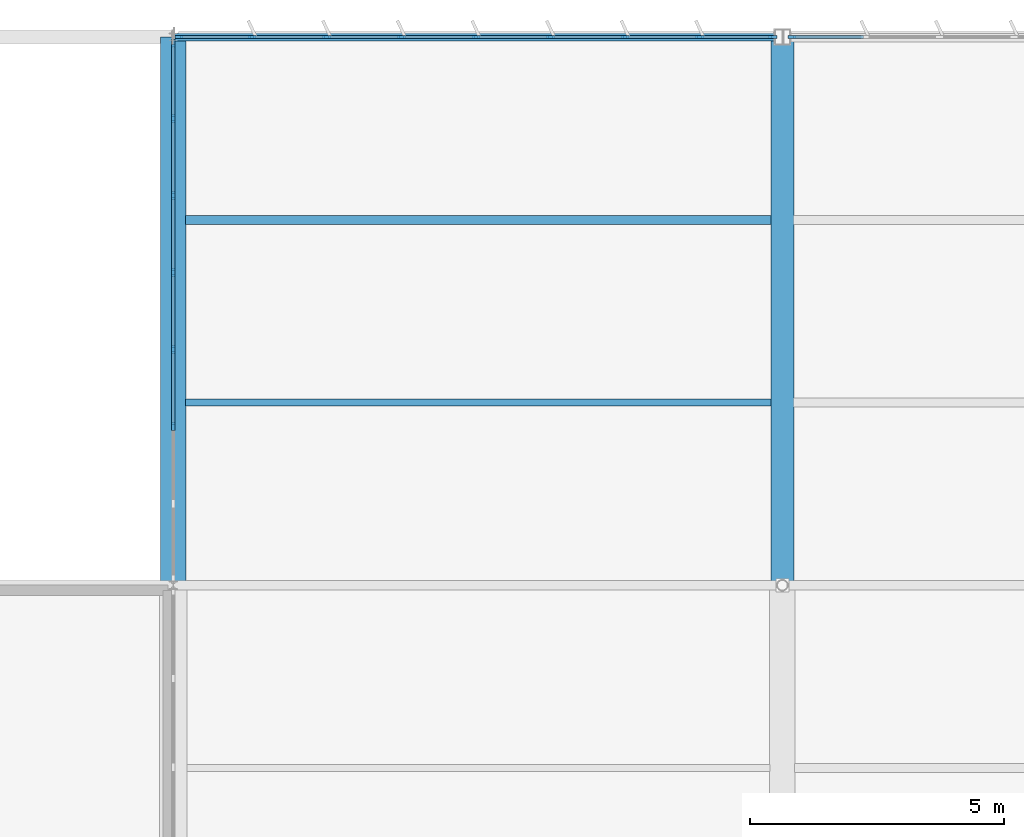
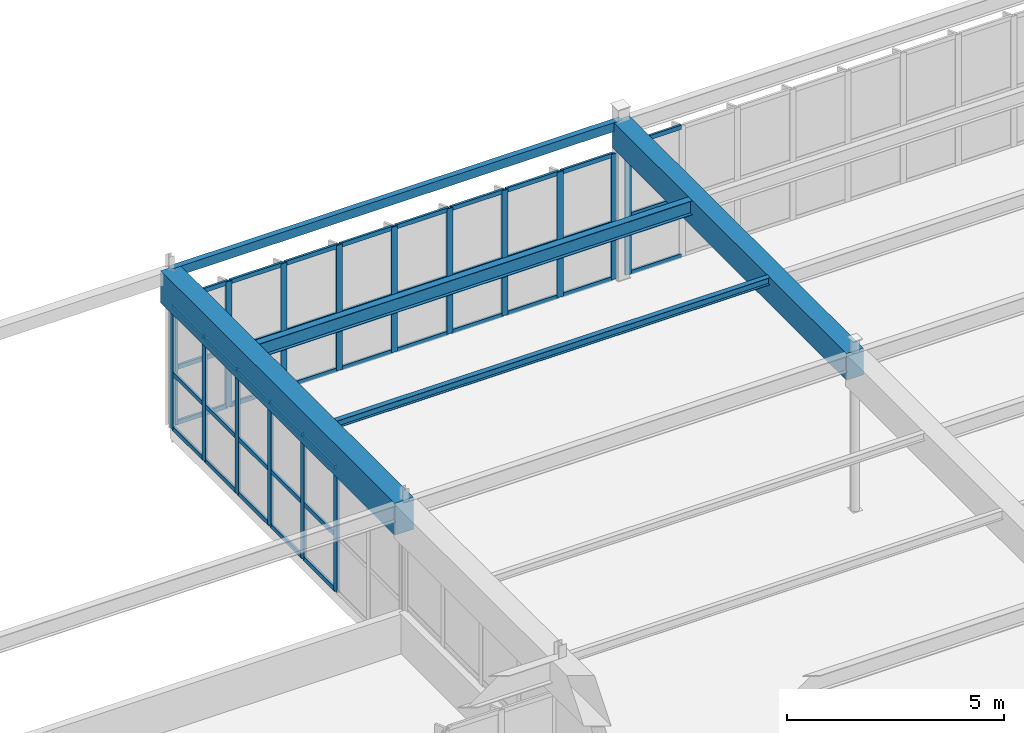
# One storey, part 128 of 226: 58 members, 5 beams, 3 elements without a shape of their own.
"""IFC4 building model written with IfcOpenShell, lengths in metres."""

from ifc_helpers import new_model, si_unit, direction, frame, origin, origin_2d, place, context, subcontext, project, spatial, rectangle, hollow_rectangle, i_section, extrude, material, layer, layer_set, material_profile, profile_set, type_object, element, aggregate, save


model = new_model("IFC4")

# Units and contexts
model_context = context("Model", 3, precision=1e-05, world=origin(), true_north=direction((0.0, 1.0)))
body_context = subcontext(model_context, "Body", "Model", "MODEL_VIEW")
ifc_project = project(units=[si_unit("LENGTHUNIT", "METRE"), si_unit("AREAUNIT", "SQUARE_METRE"), si_unit("VOLUMEUNIT", "CUBIC_METRE"), si_unit("PLANEANGLEUNIT", "RADIAN"), si_unit("MASSUNIT", "GRAM", prefix="KILO")], contexts=[model_context])

# Site, building, storey
site_placement = place(None, origin())
site = spatial("IfcSite", under=ifc_project, at=site_placement, CompositionType="ELEMENT")
building_placement = place(site_placement, origin())
building = spatial("IfcBuilding", under=site, at=building_placement, Name="Tarnwether General Hospital", CompositionType="ELEMENT")
storey_placement = place(building_placement, frame((0.0, 0.0, 4.800048828125)))
storey = spatial("IfcBuildingStorey", under=building, at=storey_placement, Name="L01", CompositionType="ELEMENT", Elevation=4.800048828125)

# Beams
ifc_material_1 = material(Name="Concrete 40 MPa", Category="concrete")
ifc_material_profile_1 = material_profile(ifc_material_1, rectangle(XDim=0.5, YDim=0.89990234375, at=origin_2d()), Name="RC-BM-500x900")
ifc_profile_set_1 = profile_set([ifc_material_profile_1], Name="Concrete 40 MPa")
beam_type_1 = type_object("IfcBeamType", Name="BM-G12", PredefinedType="BEAM", material=ifc_profile_set_1)
beam_1_placement = place(storey_placement, frame((144.0, 115.199951171875, 3.994873046875), z_axis=(0.0, 1.0, 0.0), x_axis=(-1.0, 0.0, 0.0)))
element("IfcBeam", 1, at=beam_1_placement, inside=storey, type_object=beam_type_1, Name="Primary Girder BMG-L01-14400_11520-14400_12600-1229", PredefinedType="BEAM", context=body_context, shape_type="SweptSolid", body=[
    extrude(rectangle(XDim=0.5, YDim=0.89990234375, at=origin_2d()), origin(), (0.0, 0.0, 1.0), 10.800048828125),
])
ifc_material_2 = material(Name="Concrete 40 MPa", Category="concrete")
ifc_material_profile_2 = material_profile(ifc_material_2, rectangle(XDim=0.449951171875, YDim=0.75, at=origin_2d()), Name="RC-BM-450x750")
ifc_profile_set_2 = profile_set([ifc_material_profile_2], Name="Concrete 40 MPa")
beam_type_2 = type_object("IfcBeamType", Name="BM-G13", PredefinedType="BEAM", material=ifc_profile_set_2)
beam_2_placement = place(storey_placement, frame((156.0, 115.199951171875, 4.070068359375), z_axis=(0.0, 1.0, 0.0), x_axis=(-1.0, 0.0, 0.0)))
element("IfcBeam", 2, at=beam_2_placement, inside=storey, type_object=beam_type_2, Name="Primary Girder BMG-L01-15600_11520-15600_12600-1247", PredefinedType="BEAM", context=body_context, shape_type="SweptSolid", body=[
    extrude(rectangle(XDim=0.449951171875, YDim=0.75, at=origin_2d()), origin(), (0.0, 0.0, 1.0), 10.800048828125),
])
ifc_material_3 = material(Name="Steel Grade 350 (350 MPa)", Category="steel")
ifc_material_profile_3 = material_profile(ifc_material_3, i_section(OverallWidth=0.177978515625, OverallDepth=0.406005859375, WebThickness=0.0078125, FlangeThickness=0.0126953125, at=origin_2d()), Name="410UB59.7")
ifc_profile_set_3 = profile_set([ifc_material_profile_3], Name="Steel Grade 350 (350 MPa)")
beam_type_3 = type_object("IfcBeamType", Name="BM-J01", PredefinedType="JOIST", material=ifc_profile_set_3)
beam_3_placement = place(storey_placement, frame((144.243896484375, 122.39990234375, 4.241943359375), z_axis=(1.0, 0.0, 0.0), x_axis=(0.0, 1.0, 0.0)))
element("IfcBeam", 3, at=beam_3_placement, inside=storey, type_object=beam_type_3, Name="Composite Floor Joist BMG-L01-14424_12240-15578_12240-1400", PredefinedType="JOIST", context=body_context, shape_type="SweptSolid", body=[
    extrude(i_section(OverallWidth=0.177978515625, OverallDepth=0.406005859375, WebThickness=0.0078125, FlangeThickness=0.0126953125, at=origin_2d()), origin(), (0.0, 0.0, 1.0), 11.537109375),
])
ifc_material_4 = material(Name="Steel Grade 350 (350 MPa)", Category="steel")
ifc_material_profile_4 = material_profile(ifc_material_4, i_section(OverallWidth=0.134033203125, OverallDepth=0.20703125, WebThickness=0.00634765625, FlangeThickness=0.009521484375, at=origin_2d()), Name="200UB29.8")
ifc_profile_set_4 = profile_set([ifc_material_profile_4], Name="Steel Grade 350 (350 MPa)")
beam_type_4 = type_object("IfcBeamType", Name="BM-J12", PredefinedType="JOIST", material=ifc_profile_set_4)
beam_4_placement = place(storey_placement, frame((144.243896484375, 118.800048828125, 4.341552734375), z_axis=(1.0, 0.0, 0.0), x_axis=(0.0, 1.0, 0.0)))
element("IfcBeam", 4, at=beam_4_placement, inside=storey, type_object=beam_type_4, Name="Composite Floor Joist BMG-L01-14424_11880-15578_11880-1399", PredefinedType="JOIST", context=body_context, shape_type="SweptSolid", body=[
    extrude(i_section(OverallWidth=0.134033203125, OverallDepth=0.20703125, WebThickness=0.00634765625, FlangeThickness=0.009521484375, at=origin_2d()), origin(), (0.0, 0.0, 1.0), 11.537109375),
])
ifc_material_5 = material(Name="Steel Grade C350L0 (350 MPa)", Category="steel")
ifc_material_profile_5 = material_profile(ifc_material_5, hollow_rectangle(XDim=0.14990234375, YDim=0.25, WallThickness=0.008056640625, at=origin_2d()), Name="RHS250x150x8")
ifc_profile_set_5 = profile_set([ifc_material_profile_5], Name="Steel Grade C350L0 (350 MPa)")
beam_type_5 = type_object("IfcBeamType", Name="BM-SP8", PredefinedType="SPANDREL", material=ifc_profile_set_5)
beam_5_placement = place(storey_placement, frame((144.0, 126.0, 4.320068359375), z_axis=(1.0, 0.0, 0.0), x_axis=(0.0, 1.0, 0.0)))
element("IfcBeam", 5, at=beam_5_placement, inside=storey, type_object=beam_type_5, Name="Primary Girder BMG-L01-14400_12600-15600_12600-1230", PredefinedType="SPANDREL", context=body_context, shape_type="SweptSolid", body=[
    extrude(hollow_rectangle(XDim=0.14990234375, YDim=0.25, WallThickness=0.008056640625, at=origin_2d()), origin(), (0.0, 0.0, 1.0), 12.0),
])

# Curtain wall, members
ifc_material_6 = material(Name="Anodised aluminium", Category="aluminium")
ifc_layer_1 = layer(ifc_material_6, 0.159912109375)
ifc_layer_set_1 = layer_set([ifc_layer_1], Name="Anodised aluminium")
curtain_wall_type_1 = type_object("IfcCurtainWallType", Name="CW-15", PredefinedType="NOTDEFINED", material=ifc_layer_set_1)
curtain_wall_1_placement = place(storey_placement, origin())
curtain_wall_1 = element("IfcCurtainWall", 6, at=curtain_wall_1_placement, inside=storey, type_object=curtain_wall_type_1, Name="Curtain Wall CWG-L01-1440_1153-0378", PredefinedType="NOTDEFINED")
ifc_material_7 = material(Name="Anodised aluminium", Category="aluminium")
ifc_material_profile_6 = material_profile(ifc_material_7, rectangle(XDim=0.06005859375, YDim=0.159912109375, at=origin_2d()), Name="ALU-MUL-60x160")
ifc_profile_set_6 = profile_set([ifc_material_profile_6], Name="Anodised aluminium")
member_type_1 = type_object("IfcMemberType", Name="CW-ML1", PredefinedType="MULLION", material=ifc_profile_set_6)
member_1_placement = place(storey_placement, frame((144.0, 118.323974609375, 0.0), z_axis=(0.0, 0.0, 1.0), x_axis=(-1.0, 0.0, 0.0)))
member_1 = element("IfcMember", 7, at=member_1_placement, type_object=member_type_1, Name="CW-15 mullion 3", PredefinedType="MULLION", context=body_context, shape_type="SweptSolid", body=[
    extrude(rectangle(XDim=0.06005859375, YDim=0.159912109375, at=origin_2d()), origin(), (0.0, 0.0, 1.0), 3.47998046875),
])
member_2_placement = place(storey_placement, frame((144.0, 119.84228515625, 0.0), z_axis=(0.0, 0.0, 1.0), x_axis=(-1.0, 0.0, 0.0)))
member_2 = element("IfcMember", 8, at=member_2_placement, type_object=member_type_1, Name="CW-15 mullion 4", PredefinedType="MULLION", context=body_context, shape_type="SweptSolid", body=[
    extrude(rectangle(XDim=0.06005859375, YDim=0.159912109375, at=origin_2d()), origin(), (0.0, 0.0, 1.0), 3.47998046875),
])
member_3_placement = place(storey_placement, frame((144.0, 121.360595703125, 0.0), z_axis=(0.0, 0.0, 1.0), x_axis=(-1.0, 0.0, 0.0)))
member_3 = element("IfcMember", 9, at=member_3_placement, type_object=member_type_1, Name="CW-15 mullion 5", PredefinedType="MULLION", context=body_context, shape_type="SweptSolid", body=[
    extrude(rectangle(XDim=0.06005859375, YDim=0.159912109375, at=origin_2d()), origin(), (0.0, 0.0, 1.0), 3.47998046875),
])
member_4_placement = place(storey_placement, frame((144.0, 122.879150390625, 0.0), z_axis=(0.0, 0.0, 1.0), x_axis=(-1.0, 0.0, 0.0)))
member_4 = element("IfcMember", 10, at=member_4_placement, type_object=member_type_1, Name="CW-15 mullion 6", PredefinedType="MULLION", context=body_context, shape_type="SweptSolid", body=[
    extrude(rectangle(XDim=0.06005859375, YDim=0.159912109375, at=origin_2d()), origin(), (0.0, 0.0, 1.0), 3.47998046875),
])
member_5_placement = place(storey_placement, frame((144.0, 124.3974609375, 0.0), z_axis=(0.0, 0.0, 1.0), x_axis=(-1.0, 0.0, 0.0)))
member_5 = element("IfcMember", 11, at=member_5_placement, type_object=member_type_1, Name="CW-15 mullion 7", PredefinedType="MULLION", context=body_context, shape_type="SweptSolid", body=[
    extrude(rectangle(XDim=0.06005859375, YDim=0.159912109375, at=origin_2d()), origin(), (0.0, 0.0, 1.0), 3.47998046875),
])
member_6_placement = place(storey_placement, frame((144.0, 125.885986328125, 0.0), z_axis=(0.0, 0.0, 1.0), x_axis=(-1.0, 0.0, 0.0)))
member_6 = element("IfcMember", 12, at=member_6_placement, type_object=member_type_1, Name="CW-15 mullion 8", PredefinedType="MULLION", context=body_context, shape_type="SweptSolid", body=[
    extrude(rectangle(XDim=0.06005859375, YDim=0.159912109375, at=origin_2d()), origin(), (0.0, 0.0, 1.0), 3.47998046875),
])

ifc_material_8 = material(Name="Anodised aluminium", Category="aluminium")
ifc_layer_2 = layer(ifc_material_8, 0.159912109375)
ifc_layer_set_2 = layer_set([ifc_layer_2], Name="Anodised aluminium")
curtain_wall_type_2 = type_object("IfcCurtainWallType", Name="CW-16", PredefinedType="NOTDEFINED", material=ifc_layer_set_2)
curtain_wall_2_placement = place(storey_placement, origin())
curtain_wall_2 = element("IfcCurtainWall", 13, at=curtain_wall_2_placement, inside=storey, type_object=curtain_wall_type_2, Name="Curtain Wall CWG-L01-1441_1260-0389", PredefinedType="NOTDEFINED")
member_7_placement = place(storey_placement, frame((144.114013671875, 126.0, 0.0), z_axis=(0.0, 0.0, 1.0), x_axis=(0.0, 1.0, 0.0)))
member_7 = element("IfcMember", 14, at=member_7_placement, type_object=member_type_1, Name="CW-16 mullion 1", PredefinedType="MULLION", context=body_context, shape_type="SweptSolid", body=[
    extrude(rectangle(XDim=0.06005859375, YDim=0.159912109375, at=origin_2d()), origin(), (0.0, 0.0, 1.0), 3.530029296875),
])
member_8_placement = place(storey_placement, frame((145.5537109375, 126.0, 0.0), z_axis=(0.0, 0.0, 1.0), x_axis=(0.0, 1.0, 0.0)))
member_8 = element("IfcMember", 15, at=member_8_placement, type_object=member_type_1, Name="CW-16 mullion 2", PredefinedType="MULLION", context=body_context, shape_type="SweptSolid", body=[
    extrude(rectangle(XDim=0.06005859375, YDim=0.159912109375, at=origin_2d()), origin(), (0.0, 0.0, 1.0), 3.530029296875),
])
member_9_placement = place(storey_placement, frame((147.0234375, 126.0, 0.0), z_axis=(0.0, 0.0, 1.0), x_axis=(0.0, 1.0, 0.0)))
member_9 = element("IfcMember", 16, at=member_9_placement, type_object=member_type_1, Name="CW-16 mullion 3", PredefinedType="MULLION", context=body_context, shape_type="SweptSolid", body=[
    extrude(rectangle(XDim=0.06005859375, YDim=0.159912109375, at=origin_2d()), origin(), (0.0, 0.0, 1.0), 3.530029296875),
])
member_10_placement = place(storey_placement, frame((148.4931640625, 126.0, 0.0), z_axis=(0.0, 0.0, 1.0), x_axis=(0.0, 1.0, 0.0)))
member_10 = element("IfcMember", 17, at=member_10_placement, type_object=member_type_1, Name="CW-16 mullion 4", PredefinedType="MULLION", context=body_context, shape_type="SweptSolid", body=[
    extrude(rectangle(XDim=0.06005859375, YDim=0.159912109375, at=origin_2d()), origin(), (0.0, 0.0, 1.0), 3.530029296875),
])
member_11_placement = place(storey_placement, frame((149.962890625, 126.0, 0.0), z_axis=(0.0, 0.0, 1.0), x_axis=(0.0, 1.0, 0.0)))
member_11 = element("IfcMember", 18, at=member_11_placement, type_object=member_type_1, Name="CW-16 mullion 5", PredefinedType="MULLION", context=body_context, shape_type="SweptSolid", body=[
    extrude(rectangle(XDim=0.06005859375, YDim=0.159912109375, at=origin_2d()), origin(), (0.0, 0.0, 1.0), 3.530029296875),
])
member_12_placement = place(storey_placement, frame((151.432861328125, 126.0, 0.0), z_axis=(0.0, 0.0, 1.0), x_axis=(0.0, 1.0, 0.0)))
member_12 = element("IfcMember", 19, at=member_12_placement, type_object=member_type_1, Name="CW-16 mullion 6", PredefinedType="MULLION", context=body_context, shape_type="SweptSolid", body=[
    extrude(rectangle(XDim=0.06005859375, YDim=0.159912109375, at=origin_2d()), origin(), (0.0, 0.0, 1.0), 3.530029296875),
])
member_13_placement = place(storey_placement, frame((152.902587890625, 126.0, 0.0), z_axis=(0.0, 0.0, 1.0), x_axis=(0.0, 1.0, 0.0)))
member_13 = element("IfcMember", 20, at=member_13_placement, type_object=member_type_1, Name="CW-16 mullion 7", PredefinedType="MULLION", context=body_context, shape_type="SweptSolid", body=[
    extrude(rectangle(XDim=0.06005859375, YDim=0.159912109375, at=origin_2d()), origin(), (0.0, 0.0, 1.0), 3.530029296875),
])
member_14_placement = place(storey_placement, frame((154.372314453125, 126.0, 0.0), z_axis=(0.0, 0.0, 1.0), x_axis=(0.0, 1.0, 0.0)))
member_14 = element("IfcMember", 21, at=member_14_placement, type_object=member_type_1, Name="CW-16 mullion 8", PredefinedType="MULLION", context=body_context, shape_type="SweptSolid", body=[
    extrude(rectangle(XDim=0.06005859375, YDim=0.159912109375, at=origin_2d()), origin(), (0.0, 0.0, 1.0), 3.530029296875),
])
member_15_placement = place(storey_placement, frame((155.81201171875, 126.0, 0.0), z_axis=(0.0, 0.0, 1.0), x_axis=(0.0, 1.0, 0.0)))
member_15 = element("IfcMember", 22, at=member_15_placement, type_object=member_type_1, Name="CW-16 mullion 9", PredefinedType="MULLION", context=body_context, shape_type="SweptSolid", body=[
    extrude(rectangle(XDim=0.06005859375, YDim=0.159912109375, at=origin_2d()), origin(), (0.0, 0.0, 1.0), 3.530029296875),
])

# Curtain wall, member
curtain_wall_3_placement = place(storey_placement, origin())
curtain_wall_3 = element("IfcCurtainWall", 23, at=curtain_wall_3_placement, inside=storey, type_object=curtain_wall_type_2, Name="Curtain Wall CWG-L01-1562_1260-0390", PredefinedType="NOTDEFINED")
member_16_placement = place(storey_placement, frame((156.18798828125, 126.0, 0.0), z_axis=(0.0, 0.0, 1.0), x_axis=(0.0, 1.0, 0.0)))
member_16 = element("IfcMember", 24, at=member_16_placement, type_object=member_type_1, Name="CW-16 mullion 1", PredefinedType="MULLION", context=body_context, shape_type="SweptSolid", body=[
    extrude(rectangle(XDim=0.06005859375, YDim=0.159912109375, at=origin_2d()), origin(), (0.0, 0.0, 1.0), 3.679931640625),
])

# Member
ifc_material_9 = material(Name="Anodised aluminium", Category="aluminium")
ifc_material_profile_7 = material_profile(ifc_material_9, rectangle(XDim=0.06005859375, YDim=0.1201171875, at=origin_2d()), Name="ALU-TRN-60x120")
ifc_profile_set_7 = profile_set([ifc_material_profile_7], Name="Anodised aluminium")
member_type_2 = type_object("IfcMemberType", Name="CW-TR1", PredefinedType="USERDEFINED", material=ifc_profile_set_7)
member_17_placement = place(storey_placement, frame((144.0, 118.353759765625, 0.030029296875), z_axis=(0.0, 1.0, 0.0), x_axis=(-1.0, 0.0, 0.0)))
member_17 = element("IfcMember", 25, at=member_17_placement, type_object=member_type_2, Name="CW-15 transom 3.1", ObjectType="TRANSOM", PredefinedType="USERDEFINED", context=body_context, shape_type="SweptSolid", body=[
    extrude(rectangle(XDim=0.06005859375, YDim=0.1201171875, at=origin_2d()), origin(), (0.0, 0.0, 1.0), 1.45849609375),
])

member_18_placement = place(storey_placement, frame((144.0, 118.353759765625, 1.56591796875), z_axis=(0.0, 1.0, 0.0), x_axis=(-1.0, 0.0, 0.0)))
member_18 = element("IfcMember", 26, at=member_18_placement, type_object=member_type_2, Name="CW-15 transom 3.2", ObjectType="TRANSOM", PredefinedType="USERDEFINED", context=body_context, shape_type="SweptSolid", body=[
    extrude(rectangle(XDim=0.06005859375, YDim=0.1201171875, at=origin_2d()), origin(), (0.0, 0.0, 1.0), 1.45849609375),
])

member_19_placement = place(storey_placement, frame((144.0, 118.353759765625, 3.449951171875), z_axis=(0.0, 1.0, 0.0), x_axis=(-1.0, 0.0, 0.0)))
member_19 = element("IfcMember", 27, at=member_19_placement, type_object=member_type_2, Name="CW-15 transom 3.3", ObjectType="TRANSOM", PredefinedType="USERDEFINED", context=body_context, shape_type="SweptSolid", body=[
    extrude(rectangle(XDim=0.06005859375, YDim=0.1201171875, at=origin_2d()), origin(), (0.0, 0.0, 1.0), 1.45849609375),
])

member_20_placement = place(storey_placement, frame((144.0, 119.872314453125, 0.030029296875), z_axis=(0.0, 1.0, 0.0), x_axis=(-1.0, 0.0, 0.0)))
member_20 = element("IfcMember", 28, at=member_20_placement, type_object=member_type_2, Name="CW-15 transom 4.1", ObjectType="TRANSOM", PredefinedType="USERDEFINED", context=body_context, shape_type="SweptSolid", body=[
    extrude(rectangle(XDim=0.06005859375, YDim=0.1201171875, at=origin_2d()), origin(), (0.0, 0.0, 1.0), 1.45849609375),
])

member_21_placement = place(storey_placement, frame((144.0, 119.872314453125, 1.56591796875), z_axis=(0.0, 1.0, 0.0), x_axis=(-1.0, 0.0, 0.0)))
member_21 = element("IfcMember", 29, at=member_21_placement, type_object=member_type_2, Name="CW-15 transom 4.2", ObjectType="TRANSOM", PredefinedType="USERDEFINED", context=body_context, shape_type="SweptSolid", body=[
    extrude(rectangle(XDim=0.06005859375, YDim=0.1201171875, at=origin_2d()), origin(), (0.0, 0.0, 1.0), 1.45849609375),
])

member_22_placement = place(storey_placement, frame((144.0, 119.872314453125, 3.449951171875), z_axis=(0.0, 1.0, 0.0), x_axis=(-1.0, 0.0, 0.0)))
member_22 = element("IfcMember", 30, at=member_22_placement, type_object=member_type_2, Name="CW-15 transom 4.3", ObjectType="TRANSOM", PredefinedType="USERDEFINED", context=body_context, shape_type="SweptSolid", body=[
    extrude(rectangle(XDim=0.06005859375, YDim=0.1201171875, at=origin_2d()), origin(), (0.0, 0.0, 1.0), 1.45849609375),
])

member_23_placement = place(storey_placement, frame((144.0, 121.390625, 0.030029296875), z_axis=(0.0, 1.0, 0.0), x_axis=(-1.0, 0.0, 0.0)))
member_23 = element("IfcMember", 31, at=member_23_placement, type_object=member_type_2, Name="CW-15 transom 5.1", ObjectType="TRANSOM", PredefinedType="USERDEFINED", context=body_context, shape_type="SweptSolid", body=[
    extrude(rectangle(XDim=0.06005859375, YDim=0.1201171875, at=origin_2d()), origin(), (0.0, 0.0, 1.0), 1.45849609375),
])

member_24_placement = place(storey_placement, frame((144.0, 121.390625, 1.56591796875), z_axis=(0.0, 1.0, 0.0), x_axis=(-1.0, 0.0, 0.0)))
member_24 = element("IfcMember", 32, at=member_24_placement, type_object=member_type_2, Name="CW-15 transom 5.2", ObjectType="TRANSOM", PredefinedType="USERDEFINED", context=body_context, shape_type="SweptSolid", body=[
    extrude(rectangle(XDim=0.06005859375, YDim=0.1201171875, at=origin_2d()), origin(), (0.0, 0.0, 1.0), 1.45849609375),
])

member_25_placement = place(storey_placement, frame((144.0, 121.390625, 3.449951171875), z_axis=(0.0, 1.0, 0.0), x_axis=(-1.0, 0.0, 0.0)))
member_25 = element("IfcMember", 33, at=member_25_placement, type_object=member_type_2, Name="CW-15 transom 5.3", ObjectType="TRANSOM", PredefinedType="USERDEFINED", context=body_context, shape_type="SweptSolid", body=[
    extrude(rectangle(XDim=0.06005859375, YDim=0.1201171875, at=origin_2d()), origin(), (0.0, 0.0, 1.0), 1.45849609375),
])

member_26_placement = place(storey_placement, frame((144.0, 122.9091796875, 0.030029296875), z_axis=(0.0, 1.0, 0.0), x_axis=(-1.0, 0.0, 0.0)))
member_26 = element("IfcMember", 34, at=member_26_placement, type_object=member_type_2, Name="CW-15 transom 6.1", ObjectType="TRANSOM", PredefinedType="USERDEFINED", context=body_context, shape_type="SweptSolid", body=[
    extrude(rectangle(XDim=0.06005859375, YDim=0.1201171875, at=origin_2d()), origin(), (0.0, 0.0, 1.0), 1.45849609375),
])

member_27_placement = place(storey_placement, frame((144.0, 122.9091796875, 1.56591796875), z_axis=(0.0, 1.0, 0.0), x_axis=(-1.0, 0.0, 0.0)))
member_27 = element("IfcMember", 35, at=member_27_placement, type_object=member_type_2, Name="CW-15 transom 6.2", ObjectType="TRANSOM", PredefinedType="USERDEFINED", context=body_context, shape_type="SweptSolid", body=[
    extrude(rectangle(XDim=0.06005859375, YDim=0.1201171875, at=origin_2d()), origin(), (0.0, 0.0, 1.0), 1.45849609375),
])

member_28_placement = place(storey_placement, frame((144.0, 122.9091796875, 3.449951171875), z_axis=(0.0, 1.0, 0.0), x_axis=(-1.0, 0.0, 0.0)))
member_28 = element("IfcMember", 36, at=member_28_placement, type_object=member_type_2, Name="CW-15 transom 6.3", ObjectType="TRANSOM", PredefinedType="USERDEFINED", context=body_context, shape_type="SweptSolid", body=[
    extrude(rectangle(XDim=0.06005859375, YDim=0.1201171875, at=origin_2d()), origin(), (0.0, 0.0, 1.0), 1.45849609375),
])

member_29_placement = place(storey_placement, frame((144.0, 124.427490234375, 0.030029296875), z_axis=(0.0, 1.0, 0.0), x_axis=(-1.0, 0.0, 0.0)))
member_29 = element("IfcMember", 37, at=member_29_placement, type_object=member_type_2, Name="CW-15 transom 7.1", ObjectType="TRANSOM", PredefinedType="USERDEFINED", context=body_context, shape_type="SweptSolid", body=[
    extrude(rectangle(XDim=0.06005859375, YDim=0.1201171875, at=origin_2d()), origin(), (0.0, 0.0, 1.0), 1.428466796875),
])

member_30_placement = place(storey_placement, frame((144.0, 124.427490234375, 1.56591796875), z_axis=(0.0, 1.0, 0.0), x_axis=(-1.0, 0.0, 0.0)))
member_30 = element("IfcMember", 38, at=member_30_placement, type_object=member_type_2, Name="CW-15 transom 7.2", ObjectType="TRANSOM", PredefinedType="USERDEFINED", context=body_context, shape_type="SweptSolid", body=[
    extrude(rectangle(XDim=0.06005859375, YDim=0.1201171875, at=origin_2d()), origin(), (0.0, 0.0, 1.0), 1.428466796875),
])

member_31_placement = place(storey_placement, frame((144.0, 124.427490234375, 3.449951171875), z_axis=(0.0, 1.0, 0.0), x_axis=(-1.0, 0.0, 0.0)))
member_31 = element("IfcMember", 39, at=member_31_placement, type_object=member_type_2, Name="CW-15 transom 7.3", ObjectType="TRANSOM", PredefinedType="USERDEFINED", context=body_context, shape_type="SweptSolid", body=[
    extrude(rectangle(XDim=0.06005859375, YDim=0.1201171875, at=origin_2d()), origin(), (0.0, 0.0, 1.0), 1.428466796875),
])

aggregate(curtain_wall_1, [member_1, member_2, member_3, member_4, member_5, member_6, member_17, member_18, member_19, member_20, member_21, member_22, member_23, member_24, member_25, member_26, member_27, member_28, member_29, member_30, member_31])

member_32_placement = place(storey_placement, frame((144.14404296875, 126.0, 0.030029296875), z_axis=(1.0, 0.0, 0.0), x_axis=(0.0, 1.0, 0.0)))
member_32 = element("IfcMember", 40, at=member_32_placement, type_object=member_type_2, Name="CW-16 transom 1.1", ObjectType="TRANSOM", PredefinedType="USERDEFINED", context=body_context, shape_type="SweptSolid", body=[
    extrude(rectangle(XDim=0.06005859375, YDim=0.1201171875, at=origin_2d()), origin(), (0.0, 0.0, 1.0), 1.379638671875),
])

member_33_placement = place(storey_placement, frame((144.14404296875, 126.0, 1.58837890625), z_axis=(1.0, 0.0, 0.0), x_axis=(0.0, 1.0, 0.0)))
member_33 = element("IfcMember", 41, at=member_33_placement, type_object=member_type_2, Name="CW-16 transom 1.2", ObjectType="TRANSOM", PredefinedType="USERDEFINED", context=body_context, shape_type="SweptSolid", body=[
    extrude(rectangle(XDim=0.06005859375, YDim=0.1201171875, at=origin_2d()), origin(), (0.0, 0.0, 1.0), 1.379638671875),
])

member_34_placement = place(storey_placement, frame((144.14404296875, 126.0, 3.5), z_axis=(1.0, 0.0, 0.0), x_axis=(0.0, 1.0, 0.0)))
member_34 = element("IfcMember", 42, at=member_34_placement, type_object=member_type_2, Name="CW-16 transom 1.3", ObjectType="TRANSOM", PredefinedType="USERDEFINED", context=body_context, shape_type="SweptSolid", body=[
    extrude(rectangle(XDim=0.06005859375, YDim=0.1201171875, at=origin_2d()), origin(), (0.0, 0.0, 1.0), 1.379638671875),
])

member_35_placement = place(storey_placement, frame((145.583740234375, 126.0, 0.030029296875), z_axis=(1.0, 0.0, 0.0), x_axis=(0.0, 1.0, 0.0)))
member_35 = element("IfcMember", 43, at=member_35_placement, type_object=member_type_2, Name="CW-16 transom 2.1", ObjectType="TRANSOM", PredefinedType="USERDEFINED", context=body_context, shape_type="SweptSolid", body=[
    extrude(rectangle(XDim=0.06005859375, YDim=0.1201171875, at=origin_2d()), origin(), (0.0, 0.0, 1.0), 1.40966796875),
])

member_36_placement = place(storey_placement, frame((145.583740234375, 126.0, 1.58837890625), z_axis=(1.0, 0.0, 0.0), x_axis=(0.0, 1.0, 0.0)))
member_36 = element("IfcMember", 44, at=member_36_placement, type_object=member_type_2, Name="CW-16 transom 2.2", ObjectType="TRANSOM", PredefinedType="USERDEFINED", context=body_context, shape_type="SweptSolid", body=[
    extrude(rectangle(XDim=0.06005859375, YDim=0.1201171875, at=origin_2d()), origin(), (0.0, 0.0, 1.0), 1.40966796875),
])

member_37_placement = place(storey_placement, frame((145.583740234375, 126.0, 3.5), z_axis=(1.0, 0.0, 0.0), x_axis=(0.0, 1.0, 0.0)))
member_37 = element("IfcMember", 45, at=member_37_placement, type_object=member_type_2, Name="CW-16 transom 2.3", ObjectType="TRANSOM", PredefinedType="USERDEFINED", context=body_context, shape_type="SweptSolid", body=[
    extrude(rectangle(XDim=0.06005859375, YDim=0.1201171875, at=origin_2d()), origin(), (0.0, 0.0, 1.0), 1.40966796875),
])

member_38_placement = place(storey_placement, frame((147.053466796875, 126.0, 0.030029296875), z_axis=(1.0, 0.0, 0.0), x_axis=(0.0, 1.0, 0.0)))
member_38 = element("IfcMember", 46, at=member_38_placement, type_object=member_type_2, Name="CW-16 transom 3.1", ObjectType="TRANSOM", PredefinedType="USERDEFINED", context=body_context, shape_type="SweptSolid", body=[
    extrude(rectangle(XDim=0.06005859375, YDim=0.1201171875, at=origin_2d()), origin(), (0.0, 0.0, 1.0), 1.40966796875),
])

member_39_placement = place(storey_placement, frame((147.053466796875, 126.0, 1.58837890625), z_axis=(1.0, 0.0, 0.0), x_axis=(0.0, 1.0, 0.0)))
member_39 = element("IfcMember", 47, at=member_39_placement, type_object=member_type_2, Name="CW-16 transom 3.2", ObjectType="TRANSOM", PredefinedType="USERDEFINED", context=body_context, shape_type="SweptSolid", body=[
    extrude(rectangle(XDim=0.06005859375, YDim=0.1201171875, at=origin_2d()), origin(), (0.0, 0.0, 1.0), 1.40966796875),
])

member_40_placement = place(storey_placement, frame((147.053466796875, 126.0, 3.5), z_axis=(1.0, 0.0, 0.0), x_axis=(0.0, 1.0, 0.0)))
member_40 = element("IfcMember", 48, at=member_40_placement, type_object=member_type_2, Name="CW-16 transom 3.3", ObjectType="TRANSOM", PredefinedType="USERDEFINED", context=body_context, shape_type="SweptSolid", body=[
    extrude(rectangle(XDim=0.06005859375, YDim=0.1201171875, at=origin_2d()), origin(), (0.0, 0.0, 1.0), 1.40966796875),
])

member_41_placement = place(storey_placement, frame((148.523193359375, 126.0, 0.030029296875), z_axis=(1.0, 0.0, 0.0), x_axis=(0.0, 1.0, 0.0)))
member_41 = element("IfcMember", 49, at=member_41_placement, type_object=member_type_2, Name="CW-16 transom 4.1", ObjectType="TRANSOM", PredefinedType="USERDEFINED", context=body_context, shape_type="SweptSolid", body=[
    extrude(rectangle(XDim=0.06005859375, YDim=0.1201171875, at=origin_2d()), origin(), (0.0, 0.0, 1.0), 1.409912109375),
])

member_42_placement = place(storey_placement, frame((148.523193359375, 126.0, 1.58837890625), z_axis=(1.0, 0.0, 0.0), x_axis=(0.0, 1.0, 0.0)))
member_42 = element("IfcMember", 50, at=member_42_placement, type_object=member_type_2, Name="CW-16 transom 4.2", ObjectType="TRANSOM", PredefinedType="USERDEFINED", context=body_context, shape_type="SweptSolid", body=[
    extrude(rectangle(XDim=0.06005859375, YDim=0.1201171875, at=origin_2d()), origin(), (0.0, 0.0, 1.0), 1.409912109375),
])

member_43_placement = place(storey_placement, frame((148.523193359375, 126.0, 3.5), z_axis=(1.0, 0.0, 0.0), x_axis=(0.0, 1.0, 0.0)))
member_43 = element("IfcMember", 51, at=member_43_placement, type_object=member_type_2, Name="CW-16 transom 4.3", ObjectType="TRANSOM", PredefinedType="USERDEFINED", context=body_context, shape_type="SweptSolid", body=[
    extrude(rectangle(XDim=0.06005859375, YDim=0.1201171875, at=origin_2d()), origin(), (0.0, 0.0, 1.0), 1.409912109375),
])

member_44_placement = place(storey_placement, frame((149.992919921875, 126.0, 0.030029296875), z_axis=(1.0, 0.0, 0.0), x_axis=(0.0, 1.0, 0.0)))
member_44 = element("IfcMember", 52, at=member_44_placement, type_object=member_type_2, Name="CW-16 transom 5.1", ObjectType="TRANSOM", PredefinedType="USERDEFINED", context=body_context, shape_type="SweptSolid", body=[
    extrude(rectangle(XDim=0.06005859375, YDim=0.1201171875, at=origin_2d()), origin(), (0.0, 0.0, 1.0), 1.409912109375),
])

member_45_placement = place(storey_placement, frame((149.992919921875, 126.0, 1.58837890625), z_axis=(1.0, 0.0, 0.0), x_axis=(0.0, 1.0, 0.0)))
member_45 = element("IfcMember", 53, at=member_45_placement, type_object=member_type_2, Name="CW-16 transom 5.2", ObjectType="TRANSOM", PredefinedType="USERDEFINED", context=body_context, shape_type="SweptSolid", body=[
    extrude(rectangle(XDim=0.06005859375, YDim=0.1201171875, at=origin_2d()), origin(), (0.0, 0.0, 1.0), 1.409912109375),
])

member_46_placement = place(storey_placement, frame((149.992919921875, 126.0, 3.5), z_axis=(1.0, 0.0, 0.0), x_axis=(0.0, 1.0, 0.0)))
member_46 = element("IfcMember", 54, at=member_46_placement, type_object=member_type_2, Name="CW-16 transom 5.3", ObjectType="TRANSOM", PredefinedType="USERDEFINED", context=body_context, shape_type="SweptSolid", body=[
    extrude(rectangle(XDim=0.06005859375, YDim=0.1201171875, at=origin_2d()), origin(), (0.0, 0.0, 1.0), 1.409912109375),
])

member_47_placement = place(storey_placement, frame((151.462646484375, 126.0, 0.030029296875), z_axis=(1.0, 0.0, 0.0), x_axis=(0.0, 1.0, 0.0)))
member_47 = element("IfcMember", 55, at=member_47_placement, type_object=member_type_2, Name="CW-16 transom 6.1", ObjectType="TRANSOM", PredefinedType="USERDEFINED", context=body_context, shape_type="SweptSolid", body=[
    extrude(rectangle(XDim=0.06005859375, YDim=0.1201171875, at=origin_2d()), origin(), (0.0, 0.0, 1.0), 1.409912109375),
])

member_48_placement = place(storey_placement, frame((151.462646484375, 126.0, 1.58837890625), z_axis=(1.0, 0.0, 0.0), x_axis=(0.0, 1.0, 0.0)))
member_48 = element("IfcMember", 56, at=member_48_placement, type_object=member_type_2, Name="CW-16 transom 6.2", ObjectType="TRANSOM", PredefinedType="USERDEFINED", context=body_context, shape_type="SweptSolid", body=[
    extrude(rectangle(XDim=0.06005859375, YDim=0.1201171875, at=origin_2d()), origin(), (0.0, 0.0, 1.0), 1.409912109375),
])

member_49_placement = place(storey_placement, frame((151.462646484375, 126.0, 3.5), z_axis=(1.0, 0.0, 0.0), x_axis=(0.0, 1.0, 0.0)))
member_49 = element("IfcMember", 57, at=member_49_placement, type_object=member_type_2, Name="CW-16 transom 6.3", ObjectType="TRANSOM", PredefinedType="USERDEFINED", context=body_context, shape_type="SweptSolid", body=[
    extrude(rectangle(XDim=0.06005859375, YDim=0.1201171875, at=origin_2d()), origin(), (0.0, 0.0, 1.0), 1.409912109375),
])

member_50_placement = place(storey_placement, frame((152.9326171875, 126.0, 0.030029296875), z_axis=(1.0, 0.0, 0.0), x_axis=(0.0, 1.0, 0.0)))
member_50 = element("IfcMember", 58, at=member_50_placement, type_object=member_type_2, Name="CW-16 transom 7.1", ObjectType="TRANSOM", PredefinedType="USERDEFINED", context=body_context, shape_type="SweptSolid", body=[
    extrude(rectangle(XDim=0.06005859375, YDim=0.1201171875, at=origin_2d()), origin(), (0.0, 0.0, 1.0), 1.40966796875),
])

member_51_placement = place(storey_placement, frame((152.9326171875, 126.0, 1.58837890625), z_axis=(1.0, 0.0, 0.0), x_axis=(0.0, 1.0, 0.0)))
member_51 = element("IfcMember", 59, at=member_51_placement, type_object=member_type_2, Name="CW-16 transom 7.2", ObjectType="TRANSOM", PredefinedType="USERDEFINED", context=body_context, shape_type="SweptSolid", body=[
    extrude(rectangle(XDim=0.06005859375, YDim=0.1201171875, at=origin_2d()), origin(), (0.0, 0.0, 1.0), 1.40966796875),
])

member_52_placement = place(storey_placement, frame((152.9326171875, 126.0, 3.5), z_axis=(1.0, 0.0, 0.0), x_axis=(0.0, 1.0, 0.0)))
member_52 = element("IfcMember", 60, at=member_52_placement, type_object=member_type_2, Name="CW-16 transom 7.3", ObjectType="TRANSOM", PredefinedType="USERDEFINED", context=body_context, shape_type="SweptSolid", body=[
    extrude(rectangle(XDim=0.06005859375, YDim=0.1201171875, at=origin_2d()), origin(), (0.0, 0.0, 1.0), 1.40966796875),
])

member_53_placement = place(storey_placement, frame((154.40234375, 126.0, 0.030029296875), z_axis=(1.0, 0.0, 0.0), x_axis=(0.0, 1.0, 0.0)))
member_53 = element("IfcMember", 61, at=member_53_placement, type_object=member_type_2, Name="CW-16 transom 8.1", ObjectType="TRANSOM", PredefinedType="USERDEFINED", context=body_context, shape_type="SweptSolid", body=[
    extrude(rectangle(XDim=0.06005859375, YDim=0.1201171875, at=origin_2d()), origin(), (0.0, 0.0, 1.0), 1.379638671875),
])

member_54_placement = place(storey_placement, frame((154.40234375, 126.0, 1.58837890625), z_axis=(1.0, 0.0, 0.0), x_axis=(0.0, 1.0, 0.0)))
member_54 = element("IfcMember", 62, at=member_54_placement, type_object=member_type_2, Name="CW-16 transom 8.2", ObjectType="TRANSOM", PredefinedType="USERDEFINED", context=body_context, shape_type="SweptSolid", body=[
    extrude(rectangle(XDim=0.06005859375, YDim=0.1201171875, at=origin_2d()), origin(), (0.0, 0.0, 1.0), 1.379638671875),
])

member_55_placement = place(storey_placement, frame((154.40234375, 126.0, 3.5), z_axis=(1.0, 0.0, 0.0), x_axis=(0.0, 1.0, 0.0)))
member_55 = element("IfcMember", 63, at=member_55_placement, type_object=member_type_2, Name="CW-16 transom 8.3", ObjectType="TRANSOM", PredefinedType="USERDEFINED", context=body_context, shape_type="SweptSolid", body=[
    extrude(rectangle(XDim=0.06005859375, YDim=0.1201171875, at=origin_2d()), origin(), (0.0, 0.0, 1.0), 1.379638671875),
])

aggregate(curtain_wall_2, [member_7, member_8, member_9, member_10, member_11, member_12, member_13, member_14, member_15, member_32, member_33, member_34, member_35, member_36, member_37, member_38, member_39, member_40, member_41, member_42, member_43, member_44, member_45, member_46, member_47, member_48, member_49, member_50, member_51, member_52, member_53, member_54, member_55])

member_56_placement = place(storey_placement, frame((156.218017578125, 126.0, 0.030029296875), z_axis=(1.0, 0.0, 0.0), x_axis=(0.0, 1.0, 0.0)))
member_56 = element("IfcMember", 64, at=member_56_placement, type_object=member_type_2, Name="CW-16 transom 1.1", ObjectType="TRANSOM", PredefinedType="USERDEFINED", context=body_context, shape_type="SweptSolid", body=[
    extrude(rectangle(XDim=0.06005859375, YDim=0.1201171875, at=origin_2d()), origin(), (0.0, 0.0, 1.0), 1.379638671875),
])

member_57_placement = place(storey_placement, frame((156.218017578125, 126.0, 1.656005859375), z_axis=(1.0, 0.0, 0.0), x_axis=(0.0, 1.0, 0.0)))
member_57 = element("IfcMember", 65, at=member_57_placement, type_object=member_type_2, Name="CW-16 transom 1.2", ObjectType="TRANSOM", PredefinedType="USERDEFINED", context=body_context, shape_type="SweptSolid", body=[
    extrude(rectangle(XDim=0.06005859375, YDim=0.1201171875, at=origin_2d()), origin(), (0.0, 0.0, 1.0), 1.379638671875),
])

member_58_placement = place(storey_placement, frame((156.218017578125, 126.0, 3.64990234375), z_axis=(1.0, 0.0, 0.0), x_axis=(0.0, 1.0, 0.0)))
member_58 = element("IfcMember", 66, at=member_58_placement, type_object=member_type_2, Name="CW-16 transom 1.3", ObjectType="TRANSOM", PredefinedType="USERDEFINED", context=body_context, shape_type="SweptSolid", body=[
    extrude(rectangle(XDim=0.06005859375, YDim=0.1201171875, at=origin_2d()), origin(), (0.0, 0.0, 1.0), 1.379638671875),
])

aggregate(curtain_wall_3, [member_16, member_56, member_57, member_58])

save(model, "model.ifc")
